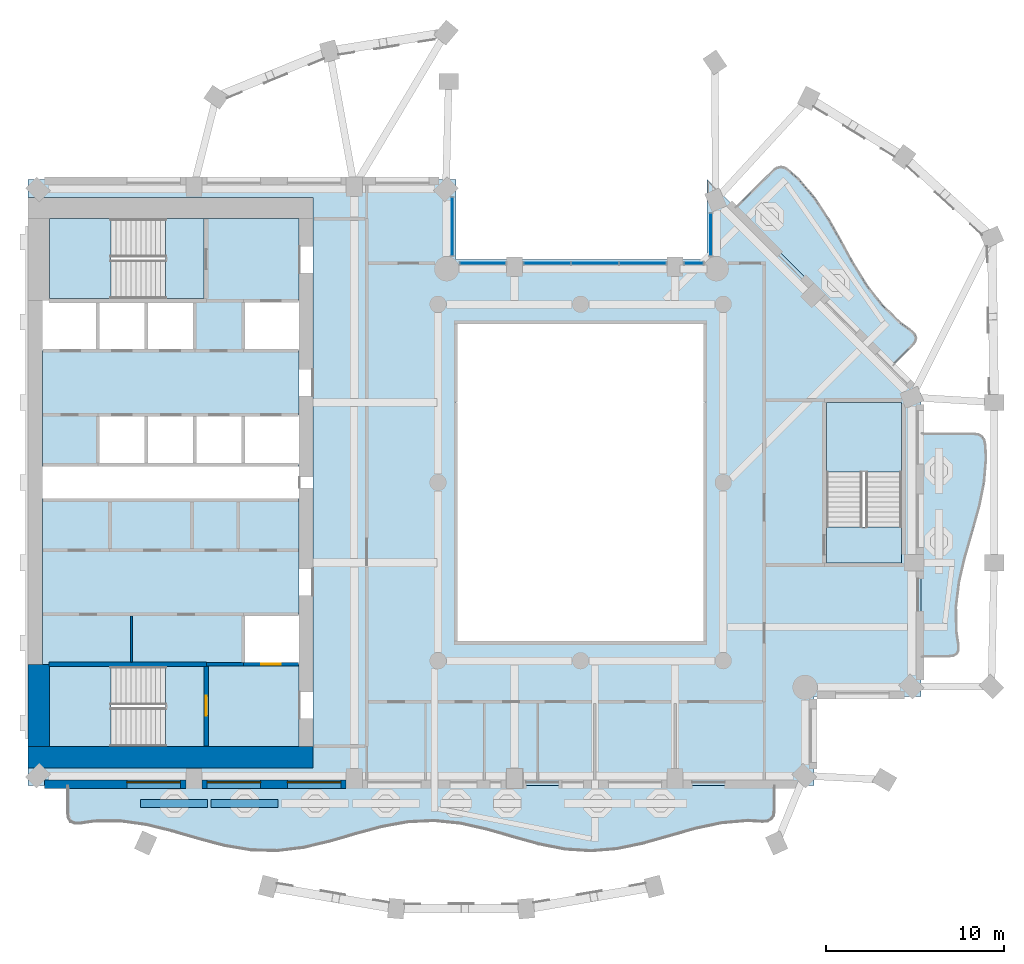
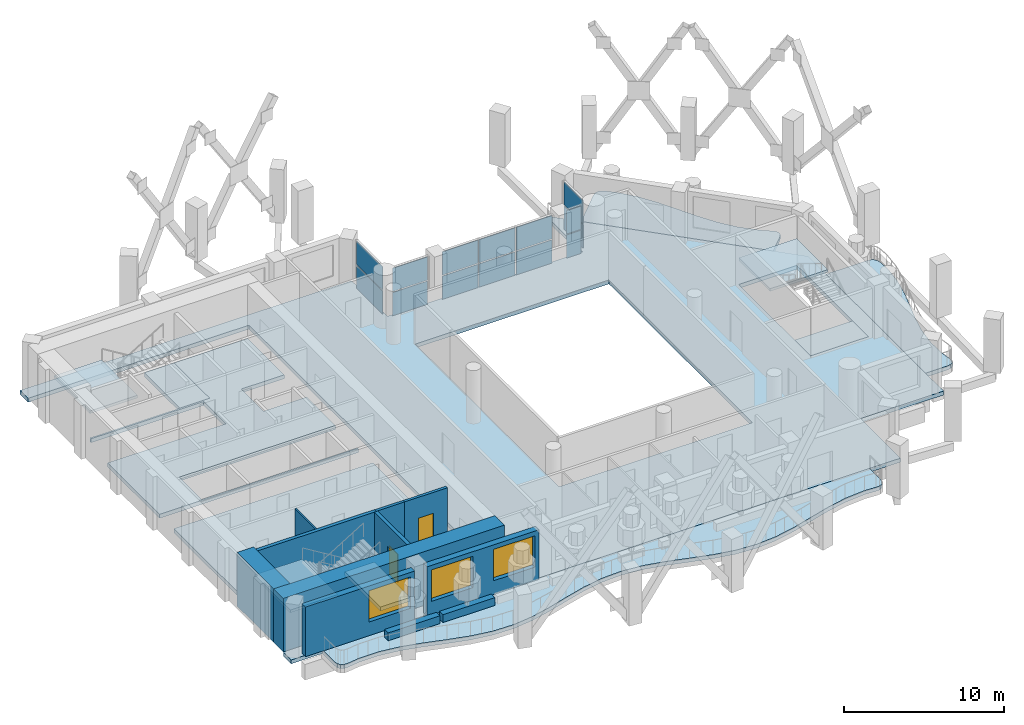
# One storey, part 3 of 16: 14 plates, 12 slabs, 11 walls, 3 windows, 2 doors, 5 openings, 8 elements without a shape of their own.
"""IFC4 building model written with IfcOpenShell, lengths in metres."""

from ifc_helpers import new_model, si_unit, direction, frame, frame_2d, origin, origin_2d, place, context, subcontext, project, spatial, polyline, rectangle, outline, extrude, material, layer, layer_set, type_object, element, fill, aggregate, save


model = new_model("IFC4")

# Units and contexts
model_context = context("Model", 3, precision=1e-05, world=origin(), true_north=direction((0.0, 1.0)))
body_context = subcontext(model_context, "Body", "Model", "MODEL_VIEW")
ifc_project = project(units=[si_unit("LENGTHUNIT", "METRE"), si_unit("AREAUNIT", "SQUARE_METRE"), si_unit("VOLUMEUNIT", "CUBIC_METRE"), si_unit("PLANEANGLEUNIT", "RADIAN"), si_unit("MASSUNIT", "GRAM", prefix="KILO")], contexts=[model_context])

# Site, building, storey
site_placement = place(None, origin())
site = spatial("IfcSite", under=ifc_project, at=site_placement, CompositionType="ELEMENT")
building_placement = place(site_placement, origin())
building = spatial("IfcBuilding", under=site, at=building_placement, Name="Cypress Arch Tower", CompositionType="ELEMENT")
storey_placement = place(building_placement, frame((0.0, 0.0, 230.199951171875)))
storey = spatial("IfcBuildingStorey", under=building, at=storey_placement, Name="L51", CompositionType="ELEMENT", Elevation=230.199951171875)

# Slabs
ifc_material_1 = material(Name="Concrete C40/50", Category="concrete")
ifc_layer_1 = layer(ifc_material_1, 0.300048828125)
ifc_layer_set_1 = layer_set([ifc_layer_1], Name="Balcony slab BS300")
slab_type_1 = type_object("IfcSlabType", Name="Balcony slab BS300", PredefinedType="USERDEFINED", material=ifc_layer_set_1)
slab_1_placement = place(storey_placement, frame((0.0, 0.0, -0.300048828125)))
element("IfcSlab", 1, at=slab_1_placement, inside=storey, type_object=slab_type_1, Name="Balcony slab L51-B01", ObjectType="BALCONY SLAB", PredefinedType="USERDEFINED", context=body_context, shape_type="SweptSolid", body=[
    extrude(outline(polyline([(-27.75, -17.0), (-27.75, -18.52880859375), (-27.708740234375, -18.814453125), (-27.5849609375, -19.004638671875), (-27.378662109375, -19.09912109375), (-27.090087890625, -19.09814453125), (-26.283447265625, -18.978515625), (-24.816650390625, -18.970947265625), (-23.35009765625, -19.17529296875), (-21.88330078125, -19.5390625), (-20.416748046875, -19.96875), (-18.949951171875, -20.354736328125), (-17.4833984375, -20.597412109375), (-16.0166015625, -20.635009765625), (-14.550048828125, -20.45751953125), (-13.083251953125, -20.11083984375), (-11.61669921875, -19.68359375), (-10.14990234375, -19.285400390625), (-8.683349609375, -19.0185546875), (-7.216552734375, -18.951171875), (-5.75, -19.1005859375), (-4.283447265625, -19.4287109375), (-2.816650390625, -19.851318359375), (-1.35009765625, -20.260009765625), (0.11669921875, -20.5498046875), (1.583251953125, -20.646728515625), (3.050048828125, -20.525634765625), (4.5166015625, -20.2177734375), (5.9833984375, -19.802001953125), (7.449951171875, -19.384765625), (8.916748046875, -19.073486328125), (10.38330078125, -18.94775390625), (11.18994140625, -18.998291015625), (11.478759765625, -18.97509765625), (11.68505859375, -18.864013671875), (11.808837890625, -18.6650390625), (11.85009765625, -18.37841796875), (11.85009765625, -17.0), (-27.75, -17.0)])), origin(), (0.0, 0.0, 1.0), 0.300048828125),
])
slab_2_placement = place(storey_placement, frame((0.0, 0.0, -0.300048828125)))
element("IfcSlab", 2, at=slab_2_placement, inside=storey, type_object=slab_type_1, Name="Balcony slab L51-B04", ObjectType="BALCONY SLAB", PredefinedType="USERDEFINED", context=body_context, shape_type="SweptSolid", body=[
    extrude(outline(polyline([(20.10009765625, -9.75), (21.663818359375, -9.75), (21.934326171875, -9.7109375), (22.1142578125, -9.59375), (22.203125, -9.3984375), (22.200927734375, -9.125), (22.0849609375, -8.361083984375), (22.061279296875, -6.97216796875), (22.230224609375, -5.583251953125), (22.552734375, -4.1943359375), (22.95458984375, -2.8056640625), (23.34326171875, -1.416748046875), (23.62890625, -0.02783203125), (23.745849609375, 1.361083984375), (23.70263671875, 2.125), (23.648193359375, 2.3984375), (23.519775390625, 2.59375), (23.3173828125, 2.7109375), (23.041259765625, 2.75), (20.10009765625, 2.75), (20.10009765625, -9.75)])), origin(), (0.0, 0.0, 1.0), 0.300048828125),
])
slab_3_placement = place(storey_placement, frame((0.0, 0.0, -0.300048828125)))
element("IfcSlab", 3, at=slab_3_placement, inside=storey, type_object=slab_type_1, Name="Balcony slab L51-B05", ObjectType="BALCONY SLAB", PredefinedType="USERDEFINED", context=body_context, shape_type="SweptSolid", body=[
    extrude(outline(polyline([(18.509033203125, 6.591064453125), (19.61572265625, 7.69775390625), (19.779052734375, 7.916259765625), (19.8232421875, 8.125732421875), (19.748291015625, 8.326171875), (19.553955078125, 8.517578125), (18.93310546875, 8.974609375), (17.93603515625, 9.937255859375), (17.07470703125, 11.035400390625), (16.32177734375, 12.241943359375), (15.625244140625, 13.5048828125), (14.920166015625, 14.759521484375), (14.143310546875, 15.9423828125), (13.24853515625, 17.007080078125), (12.6806640625, 17.516845703125), (12.44970703125, 17.671875), (12.221923828125, 17.719482421875), (11.996826171875, 17.65966796875), (11.7744140625, 17.492431640625), (9.69091796875, 15.408935546875), (18.509033203125, 6.591064453125)])), origin(), (0.0, 0.0, 1.0), 0.300048828125),
])
ifc_material_2 = material(Name="Concrete C40/50", Category="concrete")
ifc_layer_2 = layer(ifc_material_2, 0.300048828125)
ifc_layer_set_2 = layer_set([ifc_layer_2], Name="Core floor CF300")
slab_type_2 = type_object("IfcSlabType", Name="Core floor CF300", PredefinedType="FLOOR", material=ifc_layer_set_2)
slab_4_placement = place(storey_placement, frame((0.0, 0.0, -0.300048828125)))
element("IfcSlab", 4, at=slab_4_placement, inside=storey, type_object=slab_type_2, Name="Core floor", PredefinedType="FLOOR", context=body_context, shape_type="SweptSolid", body=[
    extrude(outline(polyline([(-28.800048828125, -10.199951171875), (-29.199951171875, -10.199951171875), (-29.199951171875, -0.89990234375), (-15.199951171875, -0.89990234375), (-14.800048828125, -0.89990234375), (-14.800048828125, -7.39990234375), (-15.199951171875, -7.39990234375), (-17.919921875, -7.39990234375), (-17.919921875, -10.199951171875), (-15.199951171875, -10.199951171875), (-14.800048828125, -10.199951171875), (-14.800048828125, -14.800048828125), (-15.199951171875, -14.800048828125), (-20.125, -14.800048828125), (-20.125, -10.324951171875), (-22.27490234375, -10.324951171875), (-28.800048828125, -10.324951171875), (-28.800048828125, -10.199951171875)])), origin(), (0.0, 0.0, 1.0), 0.300048828125),
])
slab_5_placement = place(storey_placement, frame((0.0, 0.0, -0.300048828125)))
element("IfcSlab", 5, at=slab_5_placement, inside=storey, type_object=slab_type_2, Name="Core floor", PredefinedType="FLOOR", context=body_context, shape_type="SweptSolid", body=[
    extrude(outline(polyline([(-22.27490234375, -10.324951171875), (-22.27490234375, -14.800048828125), (-20.125, -14.800048828125), (-20.125, -10.324951171875), (-22.27490234375, -10.324951171875)])), origin(), (0.0, 0.0, 1.0), 0.300048828125),
])
slab_6_placement = place(storey_placement, frame((0.0, 0.0, -0.300048828125)))
element("IfcSlab", 6, at=slab_6_placement, inside=storey, type_object=slab_type_2, Name="Core floor", PredefinedType="FLOOR", context=body_context, shape_type="SweptSolid", body=[
    extrude(outline(polyline([(-20.125, 14.800048828125), (-22.27490234375, 14.800048828125), (-22.27490234375, 10.324951171875), (-20.125, 10.324951171875), (-20.125, 14.800048828125)])), origin(), (0.0, 0.0, 1.0), 0.300048828125),
])
slab_7_placement = place(storey_placement, frame((0.0, 0.0, -0.300048828125)))
element("IfcSlab", 7, at=slab_7_placement, inside=storey, type_object=slab_type_2, Name="Stair floor landing", PredefinedType="FLOOR", context=body_context, shape_type="SweptSolid", body=[
    extrude(outline(polyline([(19.0, -4.5), (19.0, -2.5), (14.800048828125, -2.5), (14.800048828125, -4.5), (19.0, -4.5)])), origin(), (0.0, 0.0, 1.0), 0.300048828125),
])
slab_8_placement = place(storey_placement, frame((0.0, 0.0, -0.300048828125)))
element("IfcSlab", 8, at=slab_8_placement, inside=storey, type_object=slab_type_2, Name="Core floor", PredefinedType="FLOOR", context=body_context, shape_type="SweptSolid", body=[
    extrude(outline(polyline([(-20.639892578125, 7.39990234375), (-20.639892578125, 10.199951171875), (-23.360107421875, 10.199951171875), (-26.080078125, 10.199951171875), (-28.800048828125, 10.199951171875), (-28.800048828125, 10.324951171875), (-22.27490234375, 10.324951171875), (-20.125, 10.324951171875), (-20.125, 14.800048828125), (-15.199951171875, 14.800048828125), (-14.800048828125, 14.800048828125), (-14.800048828125, 10.199951171875), (-15.199951171875, 10.199951171875), (-17.919921875, 10.199951171875), (-17.919921875, 7.39990234375), (-15.199951171875, 7.39990234375), (-14.800048828125, 7.39990234375), (-14.800048828125, 3.800048828125), (-15.199951171875, 3.800048828125), (-17.919921875, 3.800048828125), (-20.639892578125, 3.800048828125), (-23.360107421875, 3.800048828125), (-26.080078125, 3.800048828125), (-26.080078125, 1.5), (-26.080078125, 1.5), (-26.080078125, 1.0), (-25.679931640625, 1.0), (-23.360107421875, 1.0), (-20.639892578125, 1.0), (-17.919921875, 1.0), (-15.199951171875, 1.0), (-14.800048828125, 1.0), (-14.800048828125, 0.89990234375), (-15.199951171875, 0.89990234375), (-25.679931640625, 0.89990234375), (-26.47998046875, 0.89990234375), (-29.199951171875, 0.89990234375), (-29.199951171875, 1.5), (-29.199951171875, 7.39990234375), (-26.080078125, 7.39990234375), (-23.360107421875, 7.39990234375), (-20.639892578125, 7.39990234375)])), origin(), (0.0, 0.0, 1.0), 0.300048828125),
])

# Curtain wall, plates
ifc_material_3 = material(Name="Anodised aluminium, bronze finish, clear laminated double glazing", Category="aluminium")
curtain_wall_type = type_object("IfcCurtainWallType", Name="Curtain wall CW7 slot glazing", PredefinedType="NOTDEFINED", material=ifc_material_3)
curtain_wall_1_placement = place(storey_placement, origin())
curtain_wall_1 = element("IfcCurtainWall", 9, at=curtain_wall_1_placement, inside=storey, type_object=curtain_wall_type, Name="Curtain wall L51 slot B06.0", PredefinedType="NOTDEFINED")
ifc_material_4 = material(Name="Clear laminated double glazing", Category="glass")
ifc_layer_3 = layer(ifc_material_4, 0.0439453125)
ifc_layer_set_3 = layer_set([ifc_layer_3], Name="Glass panel CW7 44")
plate_type = type_object("IfcPlateType", Name="Glass panel CW7 44", PredefinedType="CURTAIN_PANEL", material=ifc_layer_set_3)
plate_1_placement = place(storey_placement, frame((8.300048828125, 13.912353515625, 0.0849609375), z_axis=(0.0, 0.0, 1.0), x_axis=(0.0, -1.0, 0.0)))
plate_1 = element("IfcPlate", 10, at=plate_1_placement, type_object=plate_type, Name="CW7 panel 1.1", PredefinedType="CURTAIN_PANEL", context=body_context, shape_type="SweptSolid", body=[
    extrude(rectangle(XDim=2.345458984375, YDim=0.0439453125, at=origin_2d()), origin(), (0.0, 0.0, 1.0), 1.7724609375),
])
plate_2_placement = place(storey_placement, frame((8.300048828125, 13.912353515625, 1.942626953125), z_axis=(0.0, 0.0, 1.0), x_axis=(0.0, -1.0, 0.0)))
plate_2 = element("IfcPlate", 11, at=plate_2_placement, type_object=plate_type, Name="CW7 panel 1.2", PredefinedType="CURTAIN_PANEL", context=body_context, shape_type="SweptSolid", body=[
    extrude(rectangle(XDim=2.345458984375, YDim=0.0439453125, at=origin_2d()), origin(), (0.0, 0.0, 1.0), 1.7724609375),
])
aggregate(curtain_wall_1, [plate_1, plate_2])

curtain_wall_2_placement = place(storey_placement, origin())
curtain_wall_2 = element("IfcCurtainWall", 12, at=curtain_wall_2_placement, inside=storey, type_object=curtain_wall_type, Name="Curtain wall L51 slot B07.0", PredefinedType="NOTDEFINED")
plate_3_placement = place(storey_placement, frame((7.34765625, 12.300048828125, 0.0849609375), z_axis=(0.0, 0.0, 1.0), x_axis=(-1.0, 0.0, 0.0)))
plate_3 = element("IfcPlate", 13, at=plate_3_placement, type_object=plate_type, Name="CW7 panel 1.1", PredefinedType="CURTAIN_PANEL", context=body_context, shape_type="SweptSolid", body=[
    extrude(rectangle(XDim=1.025390625, YDim=0.0439453125, at=origin_2d()), origin(), (0.0, 0.0, 1.0), 1.7724609375),
])
plate_4_placement = place(storey_placement, frame((7.34765625, 12.300048828125, 1.942626953125), z_axis=(0.0, 0.0, 1.0), x_axis=(-1.0, 0.0, 0.0)))
plate_4 = element("IfcPlate", 14, at=plate_4_placement, type_object=plate_type, Name="CW7 panel 1.2", PredefinedType="CURTAIN_PANEL", context=body_context, shape_type="SweptSolid", body=[
    extrude(rectangle(XDim=1.025390625, YDim=0.0439453125, at=origin_2d()), origin(), (0.0, 0.0, 1.0), 1.7724609375),
])
aggregate(curtain_wall_2, [plate_3, plate_4])

curtain_wall_3_placement = place(storey_placement, origin())
curtain_wall_3 = element("IfcCurtainWall", 15, at=curtain_wall_3_placement, inside=storey, type_object=curtain_wall_type, Name="Curtain wall L51 slot B07.1", PredefinedType="NOTDEFINED")
plate_5_placement = place(storey_placement, frame((4.478759765625, 12.300048828125, 0.0849609375), z_axis=(0.0, 0.0, 1.0), x_axis=(-1.0, 0.0, 0.0)))
plate_5 = element("IfcPlate", 16, at=plate_5_placement, type_object=plate_type, Name="CW7 panel 1.1", PredefinedType="CURTAIN_PANEL", context=body_context, shape_type="SweptSolid", body=[
    extrude(rectangle(XDim=2.572509765625, YDim=0.0439453125, at=origin_2d()), origin(), (0.0, 0.0, 1.0), 1.7724609375),
])
plate_6_placement = place(storey_placement, frame((4.478759765625, 12.300048828125, 1.942626953125), z_axis=(0.0, 0.0, 1.0), x_axis=(-1.0, 0.0, 0.0)))
plate_6 = element("IfcPlate", 17, at=plate_6_placement, type_object=plate_type, Name="CW7 panel 1.2", PredefinedType="CURTAIN_PANEL", context=body_context, shape_type="SweptSolid", body=[
    extrude(rectangle(XDim=2.572509765625, YDim=0.0439453125, at=origin_2d()), origin(), (0.0, 0.0, 1.0), 1.7724609375),
])
plate_7_placement = place(storey_placement, frame((1.800048828125, 12.300048828125, 0.0849609375), z_axis=(0.0, 0.0, 1.0), x_axis=(-1.0, 0.0, 0.0)))
plate_7 = element("IfcPlate", 18, at=plate_7_placement, type_object=plate_type, Name="CW7 panel 2.1", PredefinedType="CURTAIN_PANEL", context=body_context, shape_type="SweptSolid", body=[
    extrude(rectangle(XDim=2.614990234375, YDim=0.0439453125, at=origin_2d()), origin(), (0.0, 0.0, 1.0), 1.7724609375),
])
plate_8_placement = place(storey_placement, frame((1.800048828125, 12.300048828125, 1.942626953125), z_axis=(0.0, 0.0, 1.0), x_axis=(-1.0, 0.0, 0.0)))
plate_8 = element("IfcPlate", 19, at=plate_8_placement, type_object=plate_type, Name="CW7 panel 2.2", PredefinedType="CURTAIN_PANEL", context=body_context, shape_type="SweptSolid", body=[
    extrude(rectangle(XDim=2.614990234375, YDim=0.0439453125, at=origin_2d()), origin(), (0.0, 0.0, 1.0), 1.7724609375),
])
plate_9_placement = place(storey_placement, frame((-0.878662109375, 12.300048828125, 0.0849609375), z_axis=(0.0, 0.0, 1.0), x_axis=(-1.0, 0.0, 0.0)))
plate_9 = element("IfcPlate", 20, at=plate_9_placement, type_object=plate_type, Name="CW7 panel 3.1", PredefinedType="CURTAIN_PANEL", context=body_context, shape_type="SweptSolid", body=[
    extrude(rectangle(XDim=2.572509765625, YDim=0.0439453125, at=origin_2d()), origin(), (0.0, 0.0, 1.0), 1.7724609375),
])
plate_10_placement = place(storey_placement, frame((-0.878662109375, 12.300048828125, 1.942626953125), z_axis=(0.0, 0.0, 1.0), x_axis=(-1.0, 0.0, 0.0)))
plate_10 = element("IfcPlate", 21, at=plate_10_placement, type_object=plate_type, Name="CW7 panel 3.2", PredefinedType="CURTAIN_PANEL", context=body_context, shape_type="SweptSolid", body=[
    extrude(rectangle(XDim=2.572509765625, YDim=0.0439453125, at=origin_2d()), origin(), (0.0, 0.0, 1.0), 1.7724609375),
])
aggregate(curtain_wall_3, [plate_5, plate_6, plate_7, plate_8, plate_9, plate_10])

curtain_wall_4_placement = place(storey_placement, origin())
curtain_wall_4 = element("IfcCurtainWall", 22, at=curtain_wall_4_placement, inside=storey, type_object=curtain_wall_type, Name="Curtain wall L51 slot B07.2", PredefinedType="NOTDEFINED")
plate_11_placement = place(storey_placement, frame((-4.497802734375, 12.300048828125, 0.0849609375), z_axis=(0.0, 0.0, 1.0), x_axis=(-1.0, 0.0, 0.0)))
plate_11 = element("IfcPlate", 23, at=plate_11_placement, type_object=plate_type, Name="CW7 panel 1.1", PredefinedType="CURTAIN_PANEL", context=body_context, shape_type="SweptSolid", body=[
    extrude(rectangle(XDim=2.525390625, YDim=0.0439453125, at=origin_2d()), origin(), (0.0, 0.0, 1.0), 1.7724609375),
])
plate_12_placement = place(storey_placement, frame((-4.497802734375, 12.300048828125, 1.942626953125), z_axis=(0.0, 0.0, 1.0), x_axis=(-1.0, 0.0, 0.0)))
plate_12 = element("IfcPlate", 24, at=plate_12_placement, type_object=plate_type, Name="CW7 panel 1.2", PredefinedType="CURTAIN_PANEL", context=body_context, shape_type="SweptSolid", body=[
    extrude(rectangle(XDim=2.525390625, YDim=0.0439453125, at=origin_2d()), origin(), (0.0, 0.0, 1.0), 1.7724609375),
])
aggregate(curtain_wall_4, [plate_11, plate_12])

curtain_wall_5_placement = place(storey_placement, origin())
curtain_wall_5 = element("IfcCurtainWall", 25, at=curtain_wall_5_placement, inside=storey, type_object=curtain_wall_type, Name="Curtain wall L51 slot B08.0", PredefinedType="NOTDEFINED")
plate_13_placement = place(storey_placement, frame((-6.199951171875, 14.359130859375, 0.0849609375), z_axis=(0.0, 0.0, 1.0), x_axis=(0.0, 1.0, 0.0)))
plate_13 = element("IfcPlate", 26, at=plate_13_placement, type_object=plate_type, Name="CW7 panel 1.1", PredefinedType="CURTAIN_PANEL", context=body_context, shape_type="SweptSolid", body=[
    extrude(rectangle(XDim=3.239013671875, YDim=0.0439453125, at=origin_2d()), origin(), (0.0, 0.0, 1.0), 1.7724609375),
])
plate_14_placement = place(storey_placement, frame((-6.199951171875, 14.359130859375, 1.942626953125), z_axis=(0.0, 0.0, 1.0), x_axis=(0.0, 1.0, 0.0)))
plate_14 = element("IfcPlate", 27, at=plate_14_placement, type_object=plate_type, Name="CW7 panel 1.2", PredefinedType="CURTAIN_PANEL", context=body_context, shape_type="SweptSolid", body=[
    extrude(rectangle(XDim=3.239013671875, YDim=0.0439453125, at=origin_2d()), origin(), (0.0, 0.0, 1.0), 1.7724609375),
])
aggregate(curtain_wall_5, [plate_13, plate_14])

# Slab
ifc_material_5 = material(Name="Concrete C40/50", Category="concrete")
ifc_layer_4 = layer(ifc_material_5, 0.300048828125)
ifc_layer_set_4 = layer_set([ifc_layer_4], Name="PT flat slab 300 Concrete C40/50")
slab_type_3 = type_object("IfcSlabType", Name="PT flat slab 300 Concrete C40/50", PredefinedType="FLOOR", material=ifc_layer_set_4)
slab_9_placement = place(storey_placement, frame((0.0, 0.0, -0.300048828125)))
element("IfcSlab", 28, at=slab_9_placement, inside=storey, type_object=slab_type_3, Name="Floor slab L51", PredefinedType="FLOOR", context=body_context, shape_type="SweptSolid", body=[
    extrude(outline(polyline([(-30.0, 17.0), (-6.0, 17.0), (-6.0, 12.5), (8.10009765625, 12.5), (8.10009765625, 17.0), (20.10009765625, 5.0), (20.10009765625, -12.0), (14.10009765625, -12.0), (14.10009765625, -17.0), (-30.0, -17.0), (-30.0, -16.0), (-14.0, -16.0), (-14.0, 16.0), (-30.0, 16.0), (-30.0, 17.0)]), holes=[polyline([(-6.0, -9.0), (8.0, -9.0), (8.0, 9.0), (-6.0, 9.0), (-6.0, -9.0)]), polyline([(14.800048828125, -4.5), (19.0, -4.5), (19.0, 4.5), (14.800048828125, 4.5), (14.800048828125, -4.5)])]), origin(), (0.0, 0.0, 1.0), 0.300048828125),
])

# Stair, slab
ifc_material_6 = material(Name="Concrete C40/50", Category="concrete")
stair_type_1 = type_object("IfcStairType", Name="Exit stair ES1708-215", PredefinedType="HALF_TURN_STAIR", material=ifc_material_6)
stair_1_placement = place(storey_placement, origin())
stair_1 = element("IfcStair", 29, at=stair_1_placement, inside=storey, type_object=stair_type_1, Name="L51 Exit stair A", PredefinedType="HALF_TURN_STAIR")
ifc_material_7 = material(Name="Concrete C40/50", Category="concrete")
ifc_layer_5 = layer(ifc_material_7, 0.199951171875)
ifc_layer_set_5 = layer_set([ifc_layer_5], Name="Stair landing SL200")
slab_type_4 = type_object("IfcSlabType", Name="Stair landing SL200", PredefinedType="LANDING", material=ifc_layer_set_5)
slab_10_placement = place(storey_placement, frame((0.0, 0.0, 1.85009765625)))
slab_10 = element("IfcSlab", 30, at=slab_10_placement, type_object=slab_type_4, Name="A landing 1", PredefinedType="LANDING", context=body_context, shape_type="SweptSolid", body=[
    extrude(outline(polyline([(-25.35498046875, -10.324951171875), (-28.800048828125, -10.324951171875), (-28.800048828125, -14.800048828125), (-25.35498046875, -14.800048828125), (-25.35498046875, -10.324951171875)])), origin(), (0.0, 0.0, 1.0), 0.199951171875),
])
aggregate(stair_1, [slab_10])

stair_2_placement = place(storey_placement, origin())
stair_2 = element("IfcStair", 31, at=stair_2_placement, inside=storey, type_object=stair_type_1, Name="L51 Exit stair B", PredefinedType="HALF_TURN_STAIR")
slab_11_placement = place(storey_placement, frame((0.0, 0.0, 1.85009765625)))
slab_11 = element("IfcSlab", 32, at=slab_11_placement, type_object=slab_type_4, Name="B landing 1", PredefinedType="LANDING", context=body_context, shape_type="SweptSolid", body=[
    extrude(outline(polyline([(-25.35498046875, 14.800048828125), (-28.800048828125, 14.800048828125), (-28.800048828125, 10.324951171875), (-25.35498046875, 10.324951171875), (-25.35498046875, 14.800048828125)])), origin(), (0.0, 0.0, 1.0), 0.199951171875),
])
aggregate(stair_2, [slab_11])

ifc_material_8 = material(Name="Concrete C40/50", Category="concrete")
stair_type_2 = type_object("IfcStairType", Name="Exit stair ES1708-200", PredefinedType="HALF_TURN_STAIR", material=ifc_material_8)
stair_3_placement = place(storey_placement, origin())
stair_3 = element("IfcStair", 33, at=stair_3_placement, inside=storey, type_object=stair_type_2, Name="L51 Exit stair C", PredefinedType="HALF_TURN_STAIR")
slab_12_placement = place(storey_placement, frame((0.0, 0.0, 1.85009765625)))
slab_12 = element("IfcSlab", 34, at=slab_12_placement, type_object=slab_type_4, Name="C landing 1", PredefinedType="LANDING", context=body_context, shape_type="SweptSolid", body=[
    extrude(outline(polyline([(19.0, 0.580078125), (19.0, 4.5), (14.800048828125, 4.5), (14.800048828125, 0.580078125), (19.0, 0.580078125)])), origin(), (0.0, 0.0, 1.0), 0.199951171875),
])
aggregate(stair_3, [slab_12])

# Walls
ifc_material_9 = material(Name="Concrete C40/50, waterproofed", Category="concrete")
ifc_layer_6 = layer(ifc_material_9, 0.449951171875)
ifc_layer_set_6 = layer_set([ifc_layer_6], Name="Balcony planter wall PW450")
wall_type_1 = type_object("IfcWallType", Name="Balcony planter wall PW450", PredefinedType="SOLIDWALL", material=ifc_layer_set_6)
for number, where, z_axis, x_axis, name in (
    (35, (-23.68994140625, -18.0, 0.0), (0.0, 0.0, 1.0), (1.0, 0.0, 0.0), "Balcony planter wall L51-B01.1"),
    (36, (-19.72998046875, -18.0, 0.0), (0.0, 0.0, 1.0), (1.0, 0.0, 0.0), "Balcony planter wall L51-B01.2"),
):
    element("IfcWall", number, at=place(storey_placement, frame(where, z_axis=z_axis, x_axis=x_axis)), inside=storey, type_object=wall_type_1, Name=name, PredefinedType="SOLIDWALL", context=body_context, shape_type="SweptSolid", body=[
        extrude(rectangle(XDim=3.760009765625, YDim=0.449951171875, at=frame_2d((1.8798828125, 0.0))), origin(), (0.0, 0.0, 1.0), 0.60009765625),
    ])

# Wall, opening, window
ifc_material_10 = material(Name="Brick (red buff blend)", Category="masonry")
ifc_layer_7 = layer(ifc_material_10, 0.449951171875)
ifc_layer_set_7 = layer_set([ifc_layer_7], Name="Brick pier and spandrel wall BW450")
wall_type_2 = type_object("IfcWallType", Name="Brick pier and spandrel wall BW450", PredefinedType="SOLIDWALL", material=ifc_layer_set_7)
wall_1_placement = place(storey_placement, frame((-29.063720703125, -16.925048828125, 0.0), z_axis=(0.0, 0.0, 1.0), x_axis=(1.0, 0.0, 0.0)))
wall_1 = element("IfcWall", 37, at=wall_1_placement, inside=storey, type_object=wall_type_2, Name="Brick wall L51 B01.0", PredefinedType="SOLIDWALL", context=body_context, shape_type="SweptSolid", body=[
    extrude(rectangle(XDim=7.913818359375, YDim=0.449951171875, at=frame_2d((3.95703125, 0.0))), origin(), (0.0, 0.0, 1.0), 3.800048828125),
])
opening_1_placement = place(wall_1_placement, frame((4.613525390625, 0.0, 1.050048828125)))
opening_1 = element("IfcOpeningElement", 38, at=opening_1_placement, cuts=wall_1, Name="Opening W300OD", PredefinedType="OPENING", context=body_context, shape_type="SweptSolid", body=[
    extrude(rectangle(XDim=3.0, YDim=2.39990234375, at=frame_2d((1.5, 1.199951171875))), frame((0.0, 0.23486328125, 0.0), z_axis=(0.0, -1.0, 0.0), x_axis=(1.0, 0.0, 0.0)), (0.0, 0.0, 1.0), 0.469970703125),
])
ifc_material_11 = material(Name="Anodised aluminium, bronze finish, laminated low-emissivity double glazing, large-missile impact rated", Category="aluminium")
window_type = type_object("IfcWindowType", Name="Window Office 3000x2400 debris-rated", PartitioningType="SINGLE_PANEL", PredefinedType="WINDOW", material=ifc_material_11)
window_1_placement = place(opening_1_placement, origin())
window_1 = element("IfcWindow", 39, at=window_1_placement, inside=storey, type_object=window_type, Name="Window L51 B01.0.2", OverallHeight=2.39990234375, OverallWidth=3.0, PartitioningType="SINGLE_PANEL", PredefinedType="WINDOW", context=body_context, shape_type="SweptSolid", body=[
    extrude(rectangle(XDim=3.0, YDim=2.39990234375, at=frame_2d((1.5, 1.199951171875))), frame((0.0, 0.135009765625, 0.0), z_axis=(0.0, -1.0, 0.0), x_axis=(1.0, 0.0, 0.0)), (0.0, 0.0, 1.0), 0.06005859375),
])
fill(opening_1, window_1)

# Wall, openings, windows
wall_2_placement = place(storey_placement, frame((-20.25, -16.925048828125, 0.0), z_axis=(0.0, 0.0, 1.0), x_axis=(1.0, 0.0, 0.0)))
wall_2 = element("IfcWall", 40, at=wall_2_placement, inside=storey, type_object=wall_type_2, Name="Brick wall L51 B01.1", PredefinedType="SOLIDWALL", context=body_context, shape_type="SweptSolid", body=[
    extrude(rectangle(XDim=8.10009765625, YDim=0.449951171875, at=frame_2d((4.050048828125, 0.0))), origin(), (0.0, 0.0, 1.0), 3.800048828125),
])
opening_2_placement = place(wall_2_placement, frame((0.300048828125, 0.0, 1.050048828125)))
opening_2 = element("IfcOpeningElement", 41, at=opening_2_placement, cuts=wall_2, Name="Opening W300OD", PredefinedType="OPENING", context=body_context, shape_type="SweptSolid", body=[
    extrude(rectangle(XDim=3.0, YDim=2.39990234375, at=frame_2d((1.5, 1.199951171875))), frame((0.0, 0.23486328125, 0.0), z_axis=(0.0, -1.0, 0.0), x_axis=(1.0, 0.0, 0.0)), (0.0, 0.0, 1.0), 0.469970703125),
])
opening_3_placement = place(wall_2_placement, frame((4.800048828125, 0.0, 1.050048828125)))
opening_3 = element("IfcOpeningElement", 42, at=opening_3_placement, cuts=wall_2, Name="Opening W300OD", PredefinedType="OPENING", context=body_context, shape_type="SweptSolid", body=[
    extrude(rectangle(XDim=3.0, YDim=2.39990234375, at=frame_2d((1.5, 1.199951171875))), frame((0.0, 0.23486328125, 0.0), z_axis=(0.0, -1.0, 0.0), x_axis=(1.0, 0.0, 0.0)), (0.0, 0.0, 1.0), 0.469970703125),
])
window_2_placement = place(opening_2_placement, origin())
window_2 = element("IfcWindow", 43, at=window_2_placement, inside=storey, type_object=window_type, Name="Window L51 B01.1.1", OverallHeight=2.39990234375, OverallWidth=3.0, PartitioningType="SINGLE_PANEL", PredefinedType="WINDOW", context=body_context, shape_type="SweptSolid", body=[
    extrude(rectangle(XDim=3.0, YDim=2.39990234375, at=frame_2d((1.5, 1.199951171875))), frame((0.0, 0.135009765625, 0.0), z_axis=(0.0, -1.0, 0.0), x_axis=(1.0, 0.0, 0.0)), (0.0, 0.0, 1.0), 0.06005859375),
])
fill(opening_2, window_2)
window_3_placement = place(opening_3_placement, origin())
window_3 = element("IfcWindow", 44, at=window_3_placement, inside=storey, type_object=window_type, Name="Window L51 B01.1.2", OverallHeight=2.39990234375, OverallWidth=3.0, PartitioningType="SINGLE_PANEL", PredefinedType="WINDOW", context=body_context, shape_type="SweptSolid", body=[
    extrude(rectangle(XDim=3.0, YDim=2.39990234375, at=frame_2d((1.5, 1.199951171875))), frame((0.0, 0.135009765625, 0.0), z_axis=(0.0, -1.0, 0.0), x_axis=(1.0, 0.0, 0.0)), (0.0, 0.0, 1.0), 0.06005859375),
])
fill(opening_3, window_3)

# Walls
ifc_material_12 = material(Name="Concrete C70/85", Category="concrete")
ifc_layer_8 = layer(ifc_material_12, 1.199951171875)
ifc_layer_set_8 = layer_set([ifc_layer_8], Name="Core wall CW1200 C70/85")
wall_type_3 = type_object("IfcWallType", Name="Core wall CW1200 C70/85", PredefinedType="SHEAR", material=ifc_layer_set_8)
wall_3_placement = place(storey_placement, frame((-30.0, -15.39990234375, 0.0), z_axis=(0.0, 0.0, 1.0), x_axis=(1.0, 0.0, 0.0)))
element("IfcWall", 45, at=wall_3_placement, inside=storey, type_object=wall_type_3, Name="Core wall", PredefinedType="SHEAR", context=body_context, shape_type="SweptSolid", body=[
    extrude(rectangle(XDim=16.0, YDim=1.199951171875, at=frame_2d((8.0, 0.0))), origin(), (0.0, 0.0, 1.0), 4.10009765625),
])
wall_4_placement = place(storey_placement, frame((-29.39990234375, -14.800048828125, 0.0), z_axis=(0.0, 0.0, 1.0), x_axis=(0.0, 1.0, 0.0)))
element("IfcWall", 46, at=wall_4_placement, inside=storey, type_object=wall_type_3, Name="Core wall", PredefinedType="SHEAR", context=body_context, shape_type="SweptSolid", body=[
    extrude(rectangle(XDim=4.60009765625, YDim=1.199951171875, at=frame_2d((2.300048828125, 0.0))), origin(), (0.0, 0.0, 1.0), 4.10009765625),
])
ifc_material_13 = material(Name="Concrete blockwork, plastered, rated", Category="masonry")
ifc_layer_9 = layer(ifc_material_13, 0.199951171875)
ifc_layer_set_9 = layer_set([ifc_layer_9], Name="Corridor wall FW200")
wall_type_4 = type_object("IfcWallType", Name="Corridor wall FW200", PredefinedType="PARTITIONING", material=ifc_layer_set_9)
wall_5_placement = place(storey_placement, frame((-20.0, -10.199951171875, 0.0), z_axis=(0.0, 0.0, 1.0), x_axis=(1.0, 0.0, 0.0)))
element("IfcWall", 47, at=wall_5_placement, inside=storey, type_object=wall_type_4, Name="Corridor wall", PredefinedType="PARTITIONING", context=body_context, shape_type="SweptSolid", body=[
    extrude(rectangle(XDim=2.080078125, YDim=0.199951171875, at=frame_2d((1.0400390625, 0.0))), origin(), (0.0, 0.0, 1.0), 3.800048828125),
])

# Wall, opening, door
ifc_material_14 = material(Name="Concrete C50/60", Category="concrete")
ifc_layer_10 = layer(ifc_material_14, 0.199951171875)
ifc_layer_set_10 = layer_set([ifc_layer_10], Name="Shaft wall SH200")
wall_type_5 = type_object("IfcWallType", Name="Shaft wall SH200", PredefinedType="SHEAR", material=ifc_layer_set_10)
wall_6_placement = place(storey_placement, frame((-17.919921875, -10.199951171875, 0.0), z_axis=(0.0, 0.0, 1.0), x_axis=(1.0, 0.0, 0.0)))
wall_6 = element("IfcWall", 48, at=wall_6_placement, inside=storey, type_object=wall_type_5, Name="Shaft wall", PredefinedType="SHEAR", context=body_context, shape_type="SweptSolid", body=[
    extrude(rectangle(XDim=3.08984375, YDim=0.199951171875, at=frame_2d((1.544921875, 0.0))), origin(), (0.0, 0.0, 1.0), 3.800048828125),
])
opening_4_placement = place(wall_6_placement, frame((1.0, 0.0, 0.0)))
opening_4 = element("IfcOpeningElement", 49, at=opening_4_placement, cuts=wall_6, Name="Opening LD-FL1", PredefinedType="OPENING", context=body_context, shape_type="SweptSolid", body=[
    extrude(rectangle(XDim=1.10009765625, YDim=2.199951171875, at=frame_2d((0.550048828125, 1.10009765625))), frame((0.0, 0.10986328125, 0.0), z_axis=(0.0, -1.0, 0.0), x_axis=(1.0, 0.0, 0.0)), (0.0, 0.0, 1.0), 0.219970703125),
])
ifc_material_15 = material(Name="Stainless steel centre-opening landing door, rated", Category="steel")
door_type_1 = type_object("IfcDoorType", Name="Lift landing door LD 1100x2200", OperationType="DOUBLE_DOOR_SLIDING", PredefinedType="DOOR", material=ifc_material_15)
door_1_placement = place(opening_4_placement, origin())
door_1 = element("IfcDoor", 50, at=door_1_placement, inside=storey, type_object=door_type_1, Name="Lift landing doors FL1", OperationType="DOUBLE_DOOR_SLIDING", OverallHeight=2.199951171875, OverallWidth=1.10009765625, PredefinedType="DOOR", context=body_context, shape_type="SweptSolid", body=[
    extrude(rectangle(XDim=1.10009765625, YDim=2.199951171875, at=frame_2d((0.550048828125, 1.10009765625))), frame((0.0, 0.02490234375, 0.0), z_axis=(0.0, -1.0, 0.0), x_axis=(1.0, 0.0, 0.0)), (0.0, 0.0, 1.0), 0.050048828125),
])
fill(opening_4, door_1)

# Wall
ifc_material_16 = material(Name="Concrete C50/60", Category="concrete")
ifc_layer_11 = layer(ifc_material_16, 0.25)
ifc_layer_set_11 = layer_set([ifc_layer_11], Name="Stair enclosure wall SW250")
wall_type_6 = type_object("IfcWallType", Name="Stair enclosure wall SW250", PredefinedType="SHEAR", material=ifc_layer_set_11)
wall_7_placement = place(storey_placement, frame((-28.81005859375, -10.199951171875, 0.0), z_axis=(0.0, 0.0, 1.0), x_axis=(1.0, 0.0, 0.0)))
element("IfcWall", 51, at=wall_7_placement, inside=storey, type_object=wall_type_6, Name="Stair enclosure wall", PredefinedType="SHEAR", context=body_context, shape_type="SweptSolid", body=[
    extrude(rectangle(XDim=8.81005859375, YDim=0.25, at=frame_2d((4.405029296875, 0.0))), origin(), (0.0, 0.0, 1.0), 3.800048828125),
])

# Wall, opening, door
wall_8_placement = place(storey_placement, frame((-20.0, -14.77001953125, 0.0), z_axis=(0.0, 0.0, 1.0), x_axis=(0.0, 1.0, 0.0)))
wall_8 = element("IfcWall", 52, at=wall_8_placement, inside=storey, type_object=wall_type_6, Name="Stair enclosure wall", PredefinedType="SHEAR", context=body_context, shape_type="SweptSolid", body=[
    extrude(rectangle(XDim=4.445068359375, YDim=0.25, at=frame_2d((2.22265625, 0.0))), origin(), (0.0, 0.0, 1.0), 3.800048828125),
])
opening_5_placement = place(wall_8_placement, frame((1.699951171875, 0.0, 0.0)))
opening_5 = element("IfcOpeningElement", 53, at=opening_5_placement, cuts=wall_8, Name="Opening D06", PredefinedType="OPENING", context=body_context, shape_type="SweptSolid", body=[
    extrude(rectangle(XDim=1.10009765625, YDim=2.199951171875, at=frame_2d((0.550048828125, 1.10009765625))), frame((0.0, 0.135009765625, 0.0), z_axis=(0.0, -1.0, 0.0), x_axis=(1.0, 0.0, 0.0)), (0.0, 0.0, 1.0), 0.27001953125),
])
ifc_material_17 = material(Name="Steel door, fire resisting, panic bar", Category="steel")
door_type_2 = type_object("IfcDoorType", Name="Stair door D06 1100x2200", OperationType="SINGLE_SWING_LEFT", PredefinedType="DOOR", material=ifc_material_17)
door_2_placement = place(opening_5_placement, origin())
door_2 = element("IfcDoor", 54, at=door_2_placement, inside=storey, type_object=door_type_2, Name="Stair door", OperationType="SINGLE_SWING_RIGHT", OverallHeight=2.199951171875, OverallWidth=1.10009765625, PredefinedType="DOOR", context=body_context, shape_type="SweptSolid", body=[
    extrude(rectangle(XDim=1.10009765625, YDim=2.199951171875, at=frame_2d((0.550048828125, 1.10009765625))), frame((0.0, 0.02490234375, 0.0), z_axis=(0.0, -1.0, 0.0), x_axis=(1.0, 0.0, 0.0)), (0.0, 0.0, 1.0), 0.050048828125),
])
fill(opening_5, door_2)

# Wall
ifc_material_18 = material(Name="Moisture resistant board on steel studs, tiled", Category="steel")
ifc_layer_12 = layer(ifc_material_18, 0.10009765625)
ifc_layer_set_12 = layer_set([ifc_layer_12], Name="Wet wall PW100")
wall_type_7 = type_object("IfcWallType", Name="Wet wall PW100", PredefinedType="PARTITIONING", material=ifc_layer_set_12)
wall_9_placement = place(storey_placement, frame((-24.199951171875, -10.074951171875, 0.0), z_axis=(0.0, 0.0, 1.0), x_axis=(0.0, 1.0, 0.0)))
element("IfcWall", 55, at=wall_9_placement, inside=storey, type_object=wall_type_7, Name="Wet wall", PredefinedType="PARTITIONING", context=body_context, shape_type="SweptSolid", body=[
    extrude(rectangle(XDim=2.574951171875, YDim=0.10009765625, at=frame_2d((1.28759765625, 0.0))), origin(), (0.0, 0.0, 1.0), 3.800048828125),
])

save(model, "model.ifc")
